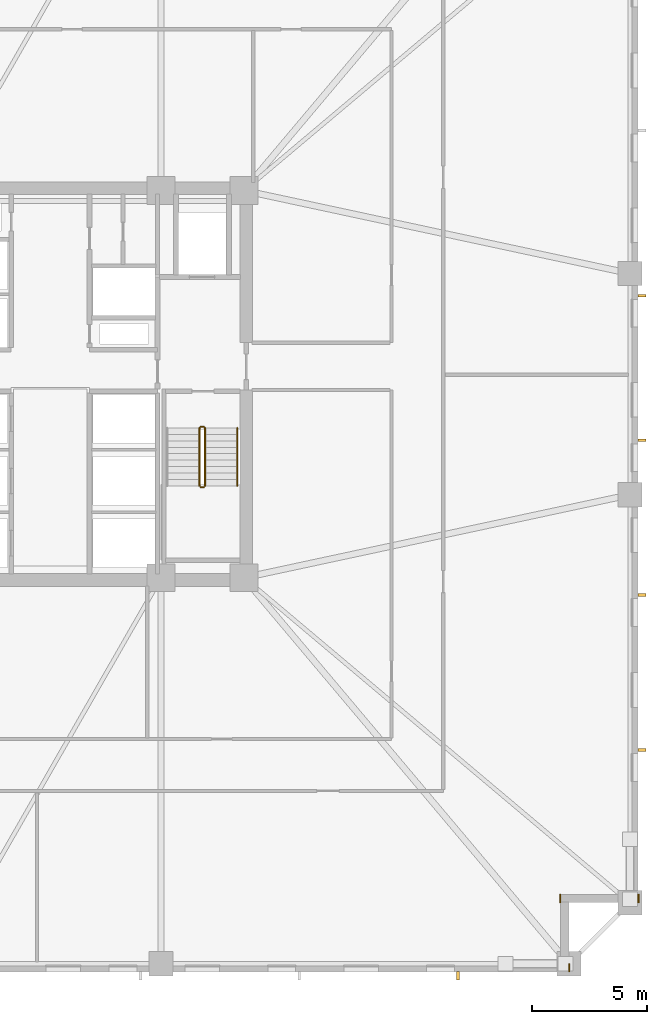
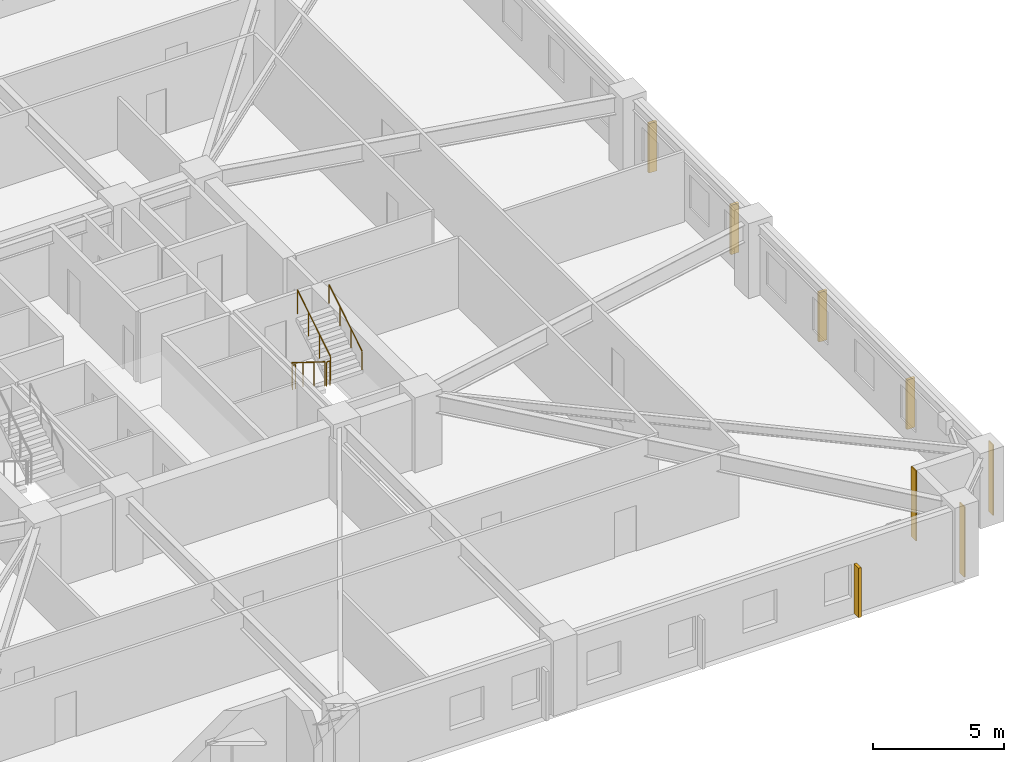
# One storey, part 8 of 10: 5 railings, 5 shading devices, 3 coverings.
"""IFC4 building model written with IfcOpenShell, lengths in metres."""

from ifc_helpers import new_model, si_unit, direction, frame, frame_2d, origin, origin_2d, place, context, subcontext, project, spatial, rectangle, circle, extrude, material, layer, layer_set, type_object, element, save


model = new_model("IFC4")

# Units and contexts
model_context = context("Model", 3, precision=1e-05, world=origin(), true_north=direction((0.0, 1.0)))
body_context = subcontext(model_context, "Body", "Model", "MODEL_VIEW")
ifc_project = project(units=[si_unit("LENGTHUNIT", "METRE"), si_unit("AREAUNIT", "SQUARE_METRE"), si_unit("VOLUMEUNIT", "CUBIC_METRE"), si_unit("PLANEANGLEUNIT", "RADIAN"), si_unit("MASSUNIT", "GRAM", prefix="KILO")], contexts=[model_context])

# Site, building, storey
site_placement = place(None, origin())
site = spatial("IfcSite", under=ifc_project, at=site_placement, CompositionType="ELEMENT")
building_placement = place(site_placement, origin())
building = spatial("IfcBuilding", under=site, at=building_placement, Name="Cairnveth Concourse Tower", CompositionType="ELEMENT")
storey_placement = place(building_placement, frame((0.0, 0.0, 27.0)))
storey = spatial("IfcBuildingStorey", under=building, at=storey_placement, Name="L06", CompositionType="ELEMENT", Elevation=27.0)

# Coverings
ifc_material_1 = material(Name="Dressed Melbourne Bluestone Cladding", Category="masonry")
ifc_layer = layer(ifc_material_1, 0.050048828125)
ifc_layer_set = layer_set([ifc_layer], Name="Dressed Melbourne Bluestone Cladding")
covering_type = type_object("IfcCoveringType", Name="DRESSED BLUESTONE PLINTH CLADDING 50", PredefinedType="CLADDING", material=ifc_layer_set)
for number, where, z_axis, x_axis, name in (
    (1, (77.52001953125, 16.860107421875, 0.0), (0.0, 0.0, 1.0), (0.0, -1.0, 0.0), "Melbourne Bluestone Corner Quoin L06-49"),
    (2, (74.1201171875, 16.860107421875, 0.0), (0.0, 0.0, 1.0), (0.0, -1.0, 0.0), "Melbourne Bluestone Corner Quoin L06-50"),
    (3, (74.52001953125, 13.860107421875, 0.0), (0.0, 0.0, 1.0), (0.0, -1.0, 0.0), "Melbourne Bluestone Corner Quoin L06-51"),
):
    element("IfcCovering", number, at=place(storey_placement, frame(where, z_axis=z_axis, x_axis=x_axis)), inside=storey, type_object=covering_type, Name=name, PredefinedType="CLADDING", context=body_context, shape_type="SweptSolid", body=[
        extrude(rectangle(XDim=0.360107421875, YDim=0.050048828125, at=frame_2d((0.18017578125, 0.0))), origin(), (0.0, 0.0, 1.0), 3.280029296875),
    ])

# Shading devices
ifc_material_2 = material(Name="Architectural Bronze Anodised Aluminium 6063-T6", Category="aluminium")
shading_device_type = type_object("IfcShadingDeviceType", Name="GOTHIC BRONZE VERTICAL LANCET FIN", PredefinedType="USERDEFINED", material=ifc_material_2)
for number, where, z_axis, x_axis, name in (
    (4, (77.675048828125, 42.839111328125, 0.02978515625), (0.0, 0.0, 1.0), (0.0, 1.0, 0.0), "Gothic Bronze Vertical Fin L06-9-5"),
    (5, (77.675048828125, 36.56884765625, 0.02978515625), (0.0, 0.0, 1.0), (0.0, 1.0, 0.0), "Gothic Bronze Vertical Fin L06-9-7"),
    (6, (77.675048828125, 29.848388671875, 0.02978515625), (0.0, 0.0, 1.0), (0.0, 1.0, 0.0), "Gothic Bronze Vertical Fin L06-9-9"),
    (7, (77.675048828125, 23.128173828125, 0.02978515625), (0.0, 0.0, 1.0), (0.0, 1.0, 0.0), "Gothic Bronze Vertical Fin L06-9-11"),
    (8, (69.688232421875, 13.324951171875, 0.02978515625), (0.0, 0.0, 1.0), (1.0, 0.0, 0.0), "Gothic Bronze Vertical Fin L06-12-1"),
):
    element("IfcShadingDevice", number, at=place(storey_placement, frame(where, z_axis=z_axis, x_axis=x_axis)), inside=storey, type_object=shading_device_type, Name=name, ObjectType="VERTICAL FIN", PredefinedType="USERDEFINED", context=body_context, shape_type="SweptSolid", body=[
        extrude(rectangle(XDim=0.1201171875, YDim=0.360107421875, at=origin_2d()), origin(), (0.0, 0.0, 1.0), 2.303955078125),
    ])

# Railings
ifc_material_3 = material(Name="Steel Grade 350", Category="steel")
railing_type_1 = type_object("IfcRailingType", Name="STAIR GUARDRAIL 1150", PredefinedType="GUARDRAIL", material=ifc_material_3)
railing_1_placement = place(storey_placement, frame((58.469970703125, 37.10009765625, 0.175048828125)))
element("IfcRailing", 9, at=railing_1_placement, inside=storey, type_object=railing_type_1, Name="L06 ST-2 stair guard 1", PredefinedType="GUARDRAIL", context=body_context, shape_type="SweptSolid", body=[
    extrude(circle(Radius=0.02392578125, at=origin_2d()), frame((0.0, 0.0, 1.1259765625), z_axis=(0.0, -0.848007534815, 0.529984170421), x_axis=(1.0, 0.0, 0.0)), (0.0, 0.0, 1.0), 2.9716796875),
    extrude(circle(Radius=0.02099609375, at=origin_2d()), origin(), (0.0, 0.0, 1.0), 1.101806640625),
    extrude(circle(Radius=0.02099609375, at=origin_2d()), frame((0.0, -0.840087890625, 0.52490234375)), (0.0, 0.0, 1.0), 1.101806640625),
    extrude(circle(Radius=0.02099609375, at=origin_2d()), frame((0.0, -1.679931640625, 1.050048828125)), (0.0, 0.0, 1.0), 1.101806640625),
    extrude(circle(Radius=0.02099609375, at=origin_2d()), frame((0.0, -2.52001953125, 1.574951171875)), (0.0, 0.0, 1.0), 1.101806640625),
])
railing_2_placement = place(storey_placement, frame((58.52001953125, 34.530029296875, 1.75)))
element("IfcRailing", 10, at=railing_2_placement, inside=storey, type_object=railing_type_1, Name="L06 ST-2 stair guard 2", PredefinedType="GUARDRAIL", context=body_context, shape_type="SweptSolid", body=[
    extrude(circle(Radius=0.02392578125, at=origin_2d()), frame((0.0, 0.0, 1.1259765625), z_axis=(1.0, 0.0, 0.0), x_axis=(0.0, 1.0, 0.0)), (0.0, 0.0, 1.0), 0.139892578125),
    extrude(circle(Radius=0.02099609375, at=origin_2d()), origin(), (0.0, 0.0, 1.0), 1.101806640625),
    extrude(circle(Radius=0.02099609375, at=origin_2d()), frame((0.139892578125, 0.0, 0.0)), (0.0, 0.0, 1.0), 1.101806640625),
])
railing_3_placement = place(storey_placement, frame((58.7099609375, 34.580078125, 1.925048828125)))
element("IfcRailing", 11, at=railing_3_placement, inside=storey, type_object=railing_type_1, Name="L06 ST-2 stair guard 3", PredefinedType="GUARDRAIL", context=body_context, shape_type="SweptSolid", body=[
    extrude(circle(Radius=0.02392578125, at=origin_2d()), frame((0.0, 0.0, 1.1259765625), z_axis=(0.0, 0.848007534815, 0.529984170421), x_axis=(-1.0, 0.0, 0.0)), (0.0, 0.0, 1.0), 2.9716796875),
    extrude(circle(Radius=0.02099609375, at=origin_2d()), origin(), (0.0, 0.0, 1.0), 1.101806640625),
    extrude(circle(Radius=0.02099609375, at=origin_2d()), frame((0.0, 0.840087890625, 0.52490234375)), (0.0, 0.0, 1.0), 1.101806640625),
    extrude(circle(Radius=0.02099609375, at=origin_2d()), frame((0.0, 1.679931640625, 1.050048828125)), (0.0, 0.0, 1.0), 1.101806640625),
    extrude(circle(Radius=0.02099609375, at=origin_2d()), frame((0.0, 2.52001953125, 1.574951171875)), (0.0, 0.0, 1.0), 1.101806640625),
])
railing_4_placement = place(storey_placement, frame((58.52001953125, 37.14990234375, 0.0)))
element("IfcRailing", 12, at=railing_4_placement, inside=storey, type_object=railing_type_1, Name="L06 ST-2 stair guard 4", PredefinedType="GUARDRAIL", context=body_context, shape_type="SweptSolid", body=[
    extrude(circle(Radius=0.02392578125, at=origin_2d()), frame((0.0, 0.0, 1.1259765625), z_axis=(1.0, 0.0, 0.0), x_axis=(0.0, 1.0, 0.0)), (0.0, 0.0, 1.0), 0.139892578125),
    extrude(circle(Radius=0.02099609375, at=origin_2d()), origin(), (0.0, 0.0, 1.0), 1.101806640625),
    extrude(circle(Radius=0.02099609375, at=origin_2d()), frame((0.139892578125, 0.0, 0.0)), (0.0, 0.0, 1.0), 1.101806640625),
])
railing_type_2 = type_object("IfcRailingType", Name="STAIR WALL HANDRAIL 900", PredefinedType="HANDRAIL", material=ifc_material_3)
railing_5_placement = place(storey_placement, frame((60.110107421875, 34.580078125, 1.925048828125)))
element("IfcRailing", 13, at=railing_5_placement, inside=storey, type_object=railing_type_2, Name="L06 ST-2 stair handrail 2", PredefinedType="HANDRAIL", context=body_context, shape_type="SweptSolid", body=[
    extrude(circle(Radius=0.02392578125, at=origin_2d()), frame((0.0, 0.0, 0.8759765625), z_axis=(0.0, 0.848007534815, 0.529984170421), x_axis=(-1.0, 0.0, 0.0)), (0.0, 0.0, 1.0), 2.9716796875),
    extrude(circle(Radius=0.02099609375, at=origin_2d()), origin(), (0.0, 0.0, 1.0), 0.851806640625),
    extrude(circle(Radius=0.02099609375, at=origin_2d()), frame((0.0, 0.840087890625, 0.52490234375)), (0.0, 0.0, 1.0), 0.851806640625),
    extrude(circle(Radius=0.02099609375, at=origin_2d()), frame((0.0, 1.679931640625, 1.050048828125)), (0.0, 0.0, 1.0), 0.851806640625),
    extrude(circle(Radius=0.02099609375, at=origin_2d()), frame((0.0, 2.52001953125, 1.574951171875)), (0.0, 0.0, 1.0), 0.851806640625),
])

save(model, "model.ifc")
